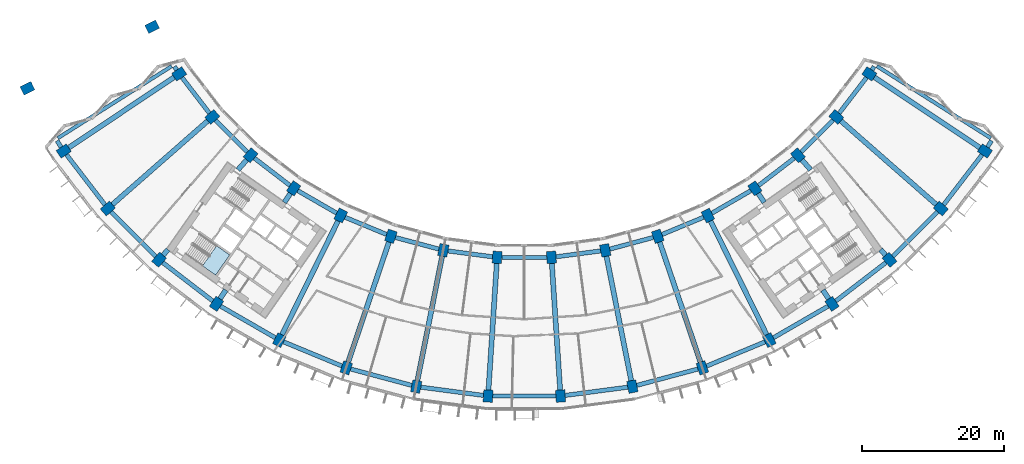
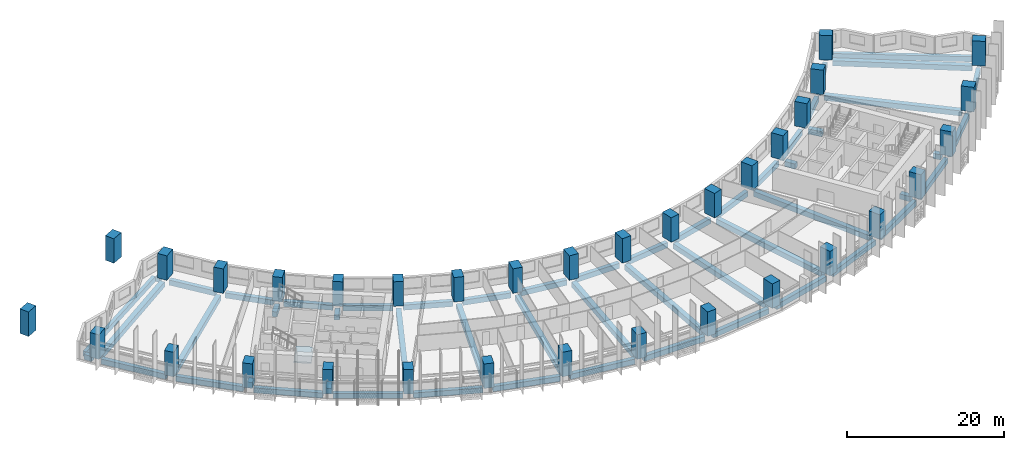
# One storey, part 1 of 31: 56 beams, 34 columns, 1 slab, 1 element without a shape of its own.
"""IFC4 building model written with IfcOpenShell, lengths in metres."""

from ifc_helpers import new_model, si_unit, direction, frame, origin, origin_2d, place, context, subcontext, project, spatial, polyline, rectangle, outline, extrude, material, layer, layer_set, material_profile, profile_set, type_object, element, aggregate, save


model = new_model("IFC4")

# Units and contexts
model_context = context("Model", 3, precision=1e-05, world=origin(), true_north=direction((0.0, 1.0)))
body_context = subcontext(model_context, "Body", "Model", "MODEL_VIEW")
ifc_project = project(units=[si_unit("LENGTHUNIT", "METRE"), si_unit("AREAUNIT", "SQUARE_METRE"), si_unit("VOLUMEUNIT", "CUBIC_METRE"), si_unit("PLANEANGLEUNIT", "RADIAN"), si_unit("MASSUNIT", "GRAM", prefix="KILO")], contexts=[model_context])

# Site, building, storey
site_placement = place(None, origin())
site = spatial("IfcSite", under=ifc_project, at=site_placement, CompositionType="ELEMENT")
building_placement = place(site_placement, origin())
building = spatial("IfcBuilding", under=site, at=building_placement, Name="Qamariyya Broadcast Tower", CompositionType="ELEMENT")
storey_placement = place(building_placement, frame((0.0, 0.0, 48.10009765625)))
storey = spatial("IfcBuildingStorey", under=building, at=storey_placement, Name="L08", CompositionType="ELEMENT", Elevation=48.10009765625)

# Columns
ifc_material_1 = material(Name="Concrete C70/85", Category="concrete")
ifc_material_profile_1 = material_profile(ifc_material_1, rectangle(XDim=1.300048828125, YDim=1.699951171875, at=origin_2d()))
ifc_profile_set_1 = profile_set([ifc_material_profile_1], Name="Concrete C70/85")
column_type = type_object("IfcColumnType", Name="RC column 1300 x 1700 C70/85", PredefinedType="COLUMN", material=ifc_profile_set_1)
for number, where, z_axis, x_axis, name in (
    (1, (-48.43310546875, -32.362060546875, 0.0), (0.0, 0.0, 1.0), (0.55557023302, -0.831469612303, 0.0), "Column C5 L08 B-R03"),
    (2, (-64.646728515625, -43.195556640625, 0.0), (0.0, 0.0, 1.0), (0.55557023302, -0.831469612303, 0.0), "Column C5 L08 C-R03"),
    (3, (-43.794677734375, -38.406982421875, 0.0), (0.0, 0.0, 1.0), (0.6593458151, -0.751839807479, 0.0), "Column C5 L08 B-R04"),
    (4, (-58.45556640625, -51.26416015625, 0.0), (0.0, 0.0, 1.0), (0.6593458151, -0.751839807479, 0.0), "Column C5 L08 C-R04"),
    (5, (-38.406982421875, -43.794677734375, 0.0), (0.0, 0.0, 1.0), (0.751839807479, -0.6593458151, 0.0), "Column C5 L08 B-R05"),
    (6, (-51.26416015625, -58.45556640625, 0.0), (0.0, 0.0, 1.0), (0.751839807479, -0.6593458151, 0.0), "Column C5 L08 C-R05"),
    (7, (-32.362060546875, -48.43310546875, 0.0), (0.0, 0.0, 1.0), (0.831469612303, -0.55557023302, 0.0), "Column C5 L08 B-R06"),
    (8, (-43.195556640625, -64.646728515625, 0.0), (0.0, 0.0, 1.0), (0.831469612303, -0.55557023302, 0.0), "Column C5 L08 C-R06"),
    (9, (-25.763427734375, -52.242919921875, 0.0), (0.0, 0.0, 1.0), (0.896872741533, -0.442288690219, 0.0), "Column C5 L08 B-R07"),
    (10, (-34.387939453125, -69.73193359375, 0.0), (0.0, 0.0, 1.0), (0.896872741533, -0.442288690219, 0.0), "Column C5 L08 C-R07"),
    (11, (-18.723876953125, -55.15869140625, 0.0), (0.0, 0.0, 1.0), (0.946930129495, -0.321439465303, 0.0), "Column C5 L08 B-R08"),
    (12, (-24.991943359375, -73.623779296875, 0.0), (0.0, 0.0, 1.0), (0.946930129495, -0.321439465303, 0.0), "Column C5 L08 C-R08"),
    (13, (-11.364013671875, -57.130859375, 0.0), (0.0, 0.0, 1.0), (0.980785280403, -0.195090322016, 0.0), "Column C5 L08 B-R09"),
    (14, (-15.168212890625, -76.256103515625, 0.0), (0.0, 0.0, 1.0), (0.980785280403, -0.195090322016, 0.0), "Column C5 L08 C-R09"),
    (15, (-3.809814453125, -58.125244140625, 0.0), (0.0, 0.0, 1.0), (0.997858923239, -0.06540312923, 0.0), "Column C5 L08 B-R10"),
    (16, (-5.085205078125, -77.58349609375, 0.0), (0.0, 0.0, 1.0), (0.997858923239, -0.06540312923, 0.0), "Column C5 L08 C-R10"),
    (17, (3.809814453125, -58.125244140625, 0.0), (0.0, 0.0, 1.0), (0.997858923239, 0.06540312923, 0.0), "Column C5 L08 B-R11"),
    (18, (5.085205078125, -77.58349609375, 0.0), (0.0, 0.0, 1.0), (0.997858923239, 0.06540312923, 0.0), "Column C5 L08 C-R11"),
    (19, (11.364013671875, -57.130859375, 0.0), (0.0, 0.0, 1.0), (0.980785280403, 0.195090322016, 0.0), "Column C5 L08 B-R12"),
    (20, (15.168212890625, -76.256103515625, 0.0), (0.0, 0.0, 1.0), (0.980785280403, 0.195090322016, 0.0), "Column C5 L08 C-R12"),
    (21, (18.723876953125, -55.15869140625, 0.0), (0.0, 0.0, 1.0), (0.946930129495, 0.321439465303, 0.0), "Column C5 L08 B-R13"),
    (22, (24.991943359375, -73.623779296875, 0.0), (0.0, 0.0, 1.0), (0.946930129495, 0.321439465303, 0.0), "Column C5 L08 C-R13"),
    (23, (25.763427734375, -52.242919921875, 0.0), (0.0, 0.0, 1.0), (0.896872741533, 0.442288690219, 0.0), "Column C5 L08 B-R14"),
    (24, (34.387939453125, -69.73193359375, 0.0), (0.0, 0.0, 1.0), (0.896872741533, 0.442288690219, 0.0), "Column C5 L08 C-R14"),
    (25, (32.362060546875, -48.43310546875, 0.0), (0.0, 0.0, 1.0), (0.831469612303, 0.55557023302, 0.0), "Column C5 L08 B-R15"),
    (26, (43.195556640625, -64.646728515625, 0.0), (0.0, 0.0, 1.0), (0.831469612303, 0.55557023302, 0.0), "Column C5 L08 C-R15"),
    (27, (38.406982421875, -43.794677734375, 0.0), (0.0, 0.0, 1.0), (0.751839807479, 0.6593458151, 0.0), "Column C5 L08 B-R16"),
    (28, (51.26416015625, -58.45556640625, 0.0), (0.0, 0.0, 1.0), (0.751839807479, 0.6593458151, 0.0), "Column C5 L08 C-R16"),
    (29, (43.794677734375, -38.406982421875, 0.0), (0.0, 0.0, 1.0), (0.6593458151, 0.751839807479, 0.0), "Column C5 L08 B-R17"),
    (30, (58.45556640625, -51.26416015625, 0.0), (0.0, 0.0, 1.0), (0.6593458151, 0.751839807479, 0.0), "Column C5 L08 C-R17"),
    (31, (48.43310546875, -32.362060546875, 0.0), (0.0, 0.0, 1.0), (0.55557023302, 0.831469612303, 0.0), "Column C5 L08 B-R18"),
    (32, (64.646728515625, -43.195556640625, 0.0), (0.0, 0.0, 1.0), (0.55557023302, 0.831469612303, 0.0), "Column C5 L08 C-R18"),
    (33, (-52.242919921875, -25.763427734375, 0.0), (0.0, 0.0, 1.0), (0.442288690219, -0.896872741533, 0.0), "Column C5 L08 B-R02"),
    (34, (-69.73193359375, -34.387939453125, 0.0), (0.0, 0.0, 1.0), (0.442288690219, -0.896872741533, 0.0), "Column C5 L08 C-R02"),
):
    element("IfcColumn", number, at=place(storey_placement, frame(where, z_axis=z_axis, x_axis=x_axis)), inside=storey, type_object=column_type, Name=name, PredefinedType="COLUMN", context=body_context, shape_type="SweptSolid", body=[
        extrude(rectangle(XDim=1.300048828125, YDim=1.699951171875, at=origin_2d()), origin(), (0.0, 0.0, 1.0), 3.7998046875),
    ])

# Beams
ifc_material_2 = material(Name="Concrete C50/60", Category="concrete")
ifc_material_profile_2 = material_profile(ifc_material_2, rectangle(XDim=0.60009765625, YDim=0.800048828125, at=origin_2d()))
ifc_profile_set_2 = profile_set([ifc_material_profile_2], Name="Concrete C50/60")
beam_type_1 = type_object("IfcBeamType", Name="RC edge beam 600 x 800 C50/60", PredefinedType="SPANDREL", material=ifc_profile_set_2)
beam_1_placement = place(storey_placement, frame((-48.03662109375, -32.878662109375, -0.7001953125), z_axis=(0.608763348773, -0.7933518672, 0.0), x_axis=(0.7933518672, 0.608763348773, 0.0)))
element("IfcBeam", 35, at=beam_1_placement, inside=storey, type_object=beam_type_1, Name="Edge beam B6 L08 B R03-R04", PredefinedType="SPANDREL", context=body_context, shape_type="SweptSolid", body=[
    extrude(rectangle(XDim=0.60009765625, YDim=0.800048828125, at=origin_2d()), origin(), (0.0, 0.0, 1.0), 6.31689453125),
])
beam_2_placement = place(storey_placement, frame((-43.333984375, -38.867431640625, -0.7001953125), z_axis=(0.707106781187, -0.707106781187, 0.0), x_axis=(0.707106781187, 0.707106781187, 0.0)))
element("IfcBeam", 36, at=beam_2_placement, inside=storey, type_object=beam_type_1, Name="Edge beam B6 L08 B R04-R05", PredefinedType="SPANDREL", context=body_context, shape_type="SweptSolid", body=[
    extrude(rectangle(XDim=0.60009765625, YDim=0.800048828125, at=origin_2d()), origin(), (0.0, 0.0, 1.0), 6.316650390625),
])
for number, where, z_axis, x_axis, name in (
    (37, (-37.89013671875, -44.191162109375, -0.7001953125), (0.7933518672, -0.608763348773, 0.0), (0.608763348773, 0.7933518672, 0.0), "Edge beam B6 L08 B R05-R06"),
    (38, (-31.7978515625, -48.7587890625, -0.7001953125), (0.866020173512, -0.500009058987, 0.0), (0.500009058987, 0.866020173512, 0.0), "Edge beam B6 L08 B R06-R07"),
):
    element("IfcBeam", number, at=place(storey_placement, frame(where, z_axis=z_axis, x_axis=x_axis)), inside=storey, type_object=beam_type_1, Name=name, PredefinedType="SPANDREL", context=body_context, shape_type="SweptSolid", body=[
        extrude(rectangle(XDim=0.60009765625, YDim=0.800048828125, at=origin_2d()), origin(), (0.0, 0.0, 1.0), 6.31689453125),
    ])
for number, where, z_axis, x_axis, name in (
    (39, (-25.16162109375, -52.4921875, -0.7001953125), (0.923884465345, -0.382671523234, 0.0), (0.382671523234, 0.923884465345, 0.0), "Edge beam B6 L08 B R07-R08"),
    (40, (-18.0947265625, -55.327392578125, -0.7001953125), (0.965931490327, -0.258797905699, 0.0), (0.258797905699, 0.965931490327, 0.0), "Edge beam B6 L08 B R08-R09"),
    (41, (-10.71826171875, -57.2158203125, -0.7001953125), (0.991445610946, -0.130520498525, 0.0), (0.130520498525, 0.991445610946, 0.0), "Edge beam B6 L08 B R09-R10"),
):
    element("IfcBeam", number, at=place(storey_placement, frame(where, z_axis=z_axis, x_axis=x_axis)), inside=storey, type_object=beam_type_1, Name=name, PredefinedType="SPANDREL", context=body_context, shape_type="SweptSolid", body=[
        extrude(rectangle(XDim=0.60009765625, YDim=0.800048828125, at=origin_2d()), origin(), (0.0, 0.0, 1.0), 6.316650390625),
    ])
beam_3_placement = place(storey_placement, frame((-3.158447265625, -58.125244140625, -0.7001953125), z_axis=(1.0, 0.0, 0.0), x_axis=(0.0, 1.0, 0.0)))
element("IfcBeam", 42, at=beam_3_placement, inside=storey, type_object=beam_type_1, Name="Edge beam B6 L08 B R10-R11", PredefinedType="SPANDREL", context=body_context, shape_type="SweptSolid", body=[
    extrude(rectangle(XDim=0.60009765625, YDim=0.800048828125, at=origin_2d()), origin(), (0.0, 0.0, 1.0), 6.31689453125),
])
for number, where, z_axis, x_axis, name in (
    (43, (4.45556640625, -58.040283203125, -0.7001953125), (0.991445610946, 0.130520498525, 0.0), (-0.130520498525, 0.991445610946, 0.0), "Edge beam B6 L08 B R11-R12"),
    (44, (11.9931640625, -56.962158203125, -0.7001953125), (0.965931490327, 0.258797905699, 0.0), (-0.258797905699, 0.965931490327, 0.0), "Edge beam B6 L08 B R12-R13"),
    (45, (19.32568359375, -54.909423828125, -0.7001953125), (0.923884465345, 0.382671523234, 0.0), (-0.382671523234, 0.923884465345, 0.0), "Edge beam B6 L08 B R13-R14"),
):
    element("IfcBeam", number, at=place(storey_placement, frame(where, z_axis=z_axis, x_axis=x_axis)), inside=storey, type_object=beam_type_1, Name=name, PredefinedType="SPANDREL", context=body_context, shape_type="SweptSolid", body=[
        extrude(rectangle(XDim=0.60009765625, YDim=0.800048828125, at=origin_2d()), origin(), (0.0, 0.0, 1.0), 6.316650390625),
    ])
for number, where, z_axis, x_axis, name in (
    (46, (26.327392578125, -51.917236328125, -0.7001953125), (0.866020173512, 0.500009058987, 0.0), (-0.500009058987, 0.866020173512, 0.0), "Edge beam B6 L08 B R14-R15"),
    (47, (32.878662109375, -48.03662109375, -0.7001953125), (0.7933518672, 0.608763348773, 0.0), (-0.608763348773, 0.7933518672, 0.0), "Edge beam B6 L08 B R15-R16"),
):
    element("IfcBeam", number, at=place(storey_placement, frame(where, z_axis=z_axis, x_axis=x_axis)), inside=storey, type_object=beam_type_1, Name=name, PredefinedType="SPANDREL", context=body_context, shape_type="SweptSolid", body=[
        extrude(rectangle(XDim=0.60009765625, YDim=0.800048828125, at=origin_2d()), origin(), (0.0, 0.0, 1.0), 6.31689453125),
    ])
beam_4_placement = place(storey_placement, frame((38.867431640625, -43.333984375, -0.7001953125), z_axis=(0.707106781187, 0.707106781187, 0.0), x_axis=(-0.707106781187, 0.707106781187, 0.0)))
element("IfcBeam", 48, at=beam_4_placement, inside=storey, type_object=beam_type_1, Name="Edge beam B6 L08 B R16-R17", PredefinedType="SPANDREL", context=body_context, shape_type="SweptSolid", body=[
    extrude(rectangle(XDim=0.60009765625, YDim=0.800048828125, at=origin_2d()), origin(), (0.0, 0.0, 1.0), 6.316650390625),
])
beam_5_placement = place(storey_placement, frame((44.191162109375, -37.89013671875, -0.7001953125), z_axis=(0.608763348773, 0.7933518672, 0.0), x_axis=(-0.7933518672, 0.608763348773, 0.0)))
element("IfcBeam", 49, at=beam_5_placement, inside=storey, type_object=beam_type_1, Name="Edge beam B6 L08 B R17-R18", PredefinedType="SPANDREL", context=body_context, shape_type="SweptSolid", body=[
    extrude(rectangle(XDim=0.60009765625, YDim=0.800048828125, at=origin_2d()), origin(), (0.0, 0.0, 1.0), 6.31689453125),
])
beam_6_placement = place(storey_placement, frame((-64.250244140625, -43.71240234375, -0.7001953125), z_axis=(0.608769622928, -0.793347052809, 0.0), x_axis=(0.793347052809, 0.608769622928, 0.0)))
element("IfcBeam", 50, at=beam_6_placement, inside=storey, type_object=beam_type_1, Name="Edge beam B6 L08 C R03-R04", PredefinedType="SPANDREL", context=body_context, shape_type="SweptSolid", body=[
    extrude(rectangle(XDim=0.60009765625, YDim=0.800048828125, at=origin_2d()), origin(), (0.0, 0.0, 1.0), 8.867431640625),
])
beam_7_placement = place(storey_placement, frame((-57.994873046875, -51.724853515625, -0.7001953125), z_axis=(0.707106781187, -0.707106781187, 0.0), x_axis=(0.707106781187, 0.707106781187, 0.0)))
element("IfcBeam", 51, at=beam_7_placement, inside=storey, type_object=beam_type_1, Name="Edge beam B6 L08 C R04-R05", PredefinedType="SPANDREL", context=body_context, shape_type="SweptSolid", body=[
    extrude(rectangle(XDim=0.60009765625, YDim=0.800048828125, at=origin_2d()), origin(), (0.0, 0.0, 1.0), 8.8671875),
])
beam_8_placement = place(storey_placement, frame((-50.747314453125, -58.85205078125, -0.7001953125), z_axis=(0.793347052809, -0.608769622928, 0.0), x_axis=(0.608769622928, 0.793347052809, 0.0)))
element("IfcBeam", 52, at=beam_8_placement, inside=storey, type_object=beam_type_1, Name="Edge beam B6 L08 C R05-R06", PredefinedType="SPANDREL", context=body_context, shape_type="SweptSolid", body=[
    extrude(rectangle(XDim=0.60009765625, YDim=0.800048828125, at=origin_2d()), origin(), (0.0, 0.0, 1.0), 8.867431640625),
])
beam_9_placement = place(storey_placement, frame((-42.63134765625, -64.972412109375, -0.7001953125), z_axis=(0.866013187848, -0.500021158025, 0.0), x_axis=(0.500021158025, 0.866013187848, 0.0)))
element("IfcBeam", 53, at=beam_9_placement, inside=storey, type_object=beam_type_1, Name="Edge beam B6 L08 C R06-R07", PredefinedType="SPANDREL", context=body_context, shape_type="SweptSolid", body=[
    extrude(rectangle(XDim=0.60009765625, YDim=0.800048828125, at=origin_2d()), origin(), (0.0, 0.0, 1.0), 8.8671875),
])
for number, where, z_axis, x_axis, name in (
    (54, (-33.7861328125, -69.981201171875, -0.7001953125), (0.923882942367, -0.382675200142, 0.0), (0.382675200142, 0.923882942367, 0.0), "Edge beam B6 L08 C R07-R08"),
    (55, (-24.36279296875, -73.79248046875, -0.7001953125), (0.965930847021, -0.258800306749, 0.0), (0.258800306749, 0.965930847021, 0.0), "Edge beam B6 L08 C R08-R09"),
    (56, (-14.5224609375, -76.341064453125, -0.7001953125), (0.991444171706, -0.13053143066, 0.0), (0.13053143066, 0.991444171706, 0.0), "Edge beam B6 L08 C R09-R10"),
):
    element("IfcBeam", number, at=place(storey_placement, frame(where, z_axis=z_axis, x_axis=x_axis)), inside=storey, type_object=beam_type_1, Name=name, PredefinedType="SPANDREL", context=body_context, shape_type="SweptSolid", body=[
        extrude(rectangle(XDim=0.60009765625, YDim=0.800048828125, at=origin_2d()), origin(), (0.0, 0.0, 1.0), 8.867431640625),
    ])
beam_10_placement = place(storey_placement, frame((-4.43359375, -77.58349609375, -0.7001953125), z_axis=(1.0, 0.0, 0.0), x_axis=(0.0, 1.0, 0.0)))
element("IfcBeam", 57, at=beam_10_placement, inside=storey, type_object=beam_type_1, Name="Edge beam B6 L08 C R10-R11", PredefinedType="SPANDREL", context=body_context, shape_type="SweptSolid", body=[
    extrude(rectangle(XDim=0.60009765625, YDim=0.800048828125, at=origin_2d()), origin(), (0.0, 0.0, 1.0), 8.8671875),
])
for number, where, z_axis, x_axis, name in (
    (58, (5.73095703125, -77.49853515625, -0.7001953125), (0.991444171706, 0.13053143066, 0.0), (-0.13053143066, 0.991444171706, 0.0), "Edge beam B6 L08 C R11-R12"),
    (59, (15.79736328125, -76.08740234375, -0.7001953125), (0.965930847021, 0.258800306749, 0.0), (-0.258800306749, 0.965930847021, 0.0), "Edge beam B6 L08 C R12-R13"),
    (60, (25.59375, -73.37451171875, -0.7001953125), (0.923882942367, 0.382675200142, 0.0), (-0.382675200142, 0.923882942367, 0.0), "Edge beam B6 L08 C R13-R14"),
):
    element("IfcBeam", number, at=place(storey_placement, frame(where, z_axis=z_axis, x_axis=x_axis)), inside=storey, type_object=beam_type_1, Name=name, PredefinedType="SPANDREL", context=body_context, shape_type="SweptSolid", body=[
        extrude(rectangle(XDim=0.60009765625, YDim=0.800048828125, at=origin_2d()), origin(), (0.0, 0.0, 1.0), 8.867431640625),
    ])
beam_11_placement = place(storey_placement, frame((34.9521484375, -69.40625, -0.7001953125), z_axis=(0.866013187848, 0.500021158025, 0.0), x_axis=(-0.500021158025, 0.866013187848, 0.0)))
element("IfcBeam", 61, at=beam_11_placement, inside=storey, type_object=beam_type_1, Name="Edge beam B6 L08 C R14-R15", PredefinedType="SPANDREL", context=body_context, shape_type="SweptSolid", body=[
    extrude(rectangle(XDim=0.60009765625, YDim=0.800048828125, at=origin_2d()), origin(), (0.0, 0.0, 1.0), 8.8671875),
])
beam_12_placement = place(storey_placement, frame((43.71240234375, -64.250244140625, -0.7001953125), z_axis=(0.793347052809, 0.608769622928, 0.0), x_axis=(-0.608769622928, 0.793347052809, 0.0)))
element("IfcBeam", 62, at=beam_12_placement, inside=storey, type_object=beam_type_1, Name="Edge beam B6 L08 C R15-R16", PredefinedType="SPANDREL", context=body_context, shape_type="SweptSolid", body=[
    extrude(rectangle(XDim=0.60009765625, YDim=0.800048828125, at=origin_2d()), origin(), (0.0, 0.0, 1.0), 8.867431640625),
])
beam_13_placement = place(storey_placement, frame((51.724853515625, -57.994873046875, -0.7001953125), z_axis=(0.707106781187, 0.707106781187, 0.0), x_axis=(-0.707106781187, 0.707106781187, 0.0)))
element("IfcBeam", 63, at=beam_13_placement, inside=storey, type_object=beam_type_1, Name="Edge beam B6 L08 C R16-R17", PredefinedType="SPANDREL", context=body_context, shape_type="SweptSolid", body=[
    extrude(rectangle(XDim=0.60009765625, YDim=0.800048828125, at=origin_2d()), origin(), (0.0, 0.0, 1.0), 8.8671875),
])
beam_14_placement = place(storey_placement, frame((58.85205078125, -50.747314453125, -0.7001953125), z_axis=(0.608769622928, 0.793347052809, 0.0), x_axis=(-0.793347052809, 0.608769622928, 0.0)))
element("IfcBeam", 64, at=beam_14_placement, inside=storey, type_object=beam_type_1, Name="Edge beam B6 L08 C R17-R18", PredefinedType="SPANDREL", context=body_context, shape_type="SweptSolid", body=[
    extrude(rectangle(XDim=0.60009765625, YDim=0.800048828125, at=origin_2d()), origin(), (0.0, 0.0, 1.0), 8.867431640625),
])
ifc_material_profile_3 = material_profile(ifc_material_2, rectangle(XDim=0.60009765625, YDim=0.800048828125, at=origin_2d()))
ifc_profile_set_3 = profile_set([ifc_material_profile_3], Name="Concrete C50/60")
beam_type_2 = type_object("IfcBeamType", Name="RC horn beam 600 x 800 C50/60", PredefinedType="BEAM", material=ifc_profile_set_3)
beam_15_placement = place(storey_placement, frame((-48.787353515625, -31.81689453125, -0.7001953125), z_axis=(-0.545092475008, 0.838375926235, 0.0), x_axis=(-0.838375926235, -0.545092475008, 0.0)))
element("IfcBeam", 65, at=beam_15_placement, inside=storey, type_object=beam_type_2, Name="Horn beam B7 L08 W B-R03", PredefinedType="BEAM", context=body_context, shape_type="SweptSolid", body=[
    extrude(rectangle(XDim=0.60009765625, YDim=0.800048828125, at=origin_2d()), origin(), (0.0, 0.0, 1.0), 0.576904296875),
])
beam_16_placement = place(storey_placement, frame((-65.0009765625, -42.650634765625, -0.7001953125), z_axis=(-0.545092475008, 0.838375926235, 0.0), x_axis=(-0.838375926235, -0.545092475008, 0.0)))
element("IfcBeam", 66, at=beam_16_placement, inside=storey, type_object=beam_type_2, Name="Horn beam B7 L08 W C-R03", PredefinedType="BEAM", context=body_context, shape_type="SweptSolid", body=[
    extrude(rectangle(XDim=0.60009765625, YDim=0.800048828125, at=origin_2d()), origin(), (0.0, 0.0, 1.0), 1.0712890625),
])
beam_17_placement = place(storey_placement, frame((48.787353515625, -31.81689453125, -0.7001953125), z_axis=(0.545092475008, 0.838375926235, 0.0), x_axis=(-0.838375926235, 0.545092475008, 0.0)))
element("IfcBeam", 67, at=beam_17_placement, inside=storey, type_object=beam_type_2, Name="Horn beam B7 L08 E B-R18", PredefinedType="BEAM", context=body_context, shape_type="SweptSolid", body=[
    extrude(rectangle(XDim=0.60009765625, YDim=0.800048828125, at=origin_2d()), origin(), (0.0, 0.0, 1.0), 0.576904296875),
])
beam_18_placement = place(storey_placement, frame((65.0009765625, -42.650634765625, -0.7001953125), z_axis=(0.545092475008, 0.838375926235, 0.0), x_axis=(-0.838375926235, 0.545092475008, 0.0)))
element("IfcBeam", 68, at=beam_18_placement, inside=storey, type_object=beam_type_2, Name="Horn beam B7 L08 E C-R18", PredefinedType="BEAM", context=body_context, shape_type="SweptSolid", body=[
    extrude(rectangle(XDim=0.60009765625, YDim=0.800048828125, at=origin_2d()), origin(), (0.0, 0.0, 1.0), 1.0712890625),
])
ifc_material_profile_4 = material_profile(ifc_material_2, rectangle(XDim=0.5, YDim=0.800048828125, at=origin_2d()))
ifc_profile_set_4 = profile_set([ifc_material_profile_4], Name="Concrete C50/60")
beam_type_3 = type_object("IfcBeamType", Name="RC horn cap beam 500 x 800 C50/60", PredefinedType="BEAM", material=ifc_profile_set_4)
for number, where, z_axis, x_axis, name in (
    (69, (-49.49169921875, -31.283935546875, -0.7001953125), (-0.845288403382, -0.534310317238, 0.0), (0.534310317238, -0.845288403382, 0.0), "Horn cap beam B8 L08 W B-C"),
    (70, (49.49169921875, -31.283935546875, -0.7001953125), (0.845288403382, -0.534310317238, 0.0), (0.534310317238, 0.845288403382, 0.0), "Horn cap beam B8 L08 E B-C"),
):
    element("IfcBeam", number, at=place(storey_placement, frame(where, z_axis=z_axis, x_axis=x_axis)), inside=storey, type_object=beam_type_3, Name=name, PredefinedType="BEAM", context=body_context, shape_type="SweptSolid", body=[
        extrude(rectangle(XDim=0.5, YDim=0.800048828125, at=origin_2d()), origin(), (0.0, 0.0, 1.0), 18.89990234375),
    ])
ifc_material_profile_5 = material_profile(ifc_material_2, rectangle(XDim=0.699951171875, YDim=0.800048828125, at=origin_2d()))
ifc_profile_set_5 = profile_set([ifc_material_profile_5], Name="Concrete C50/60")
beam_type_4 = type_object("IfcBeamType", Name="RC radial beam 700 x 800 C50/60", PredefinedType="BEAM", material=ifc_profile_set_5)
for number, where, z_axis, x_axis, name in (
    (71, (-49.139892578125, -32.834228515625, -0.7001953125), (-0.831467440413, -0.555573483469, 0.0), (0.555573483469, -0.831467440413, 0.0), "Radial beam B5 L08 R03 B-C"),
    (72, (-44.433837890625, -38.96728515625, -0.7001953125), (-0.751836168626, -0.659349964393, 0.0), (0.659349964393, -0.751836168626, 0.0), "Radial beam B5 L08 R04 B-C"),
):
    element("IfcBeam", number, at=place(storey_placement, frame(where, z_axis=z_axis, x_axis=x_axis)), inside=storey, type_object=beam_type_4, Name=name, PredefinedType="BEAM", context=body_context, shape_type="SweptSolid", body=[
        extrude(rectangle(XDim=0.699951171875, YDim=0.800048828125, at=origin_2d()), origin(), (0.0, 0.0, 1.0), 17.7998046875),
    ])
beam_19_placement = place(storey_placement, frame((-38.96728515625, -44.433837890625, -0.7001953125), z_axis=(-0.659385827408, -0.751804715743, 0.0), x_axis=(0.751804715743, -0.659385827408, 0.0)))
element("IfcBeam", 73, at=beam_19_placement, inside=storey, type_object=beam_type_4, Name="Radial beam B5 L08 R05 B-C", PredefinedType="BEAM", context=body_context, shape_type="SweptSolid", body=[
    extrude(rectangle(XDim=0.699951171875, YDim=0.800048828125, at=origin_2d()), origin(), (0.0, 0.0, 1.0), 1.8623046875),
])
beam_20_placement = place(storey_placement, frame((-50.011962890625, -57.027587890625, -0.7001953125), z_axis=(-0.659278599496, -0.751898748667, 0.0), x_axis=(0.751898748667, -0.659278599496, 0.0)))
element("IfcBeam", 74, at=beam_20_placement, inside=storey, type_object=beam_type_4, Name="Radial beam B5 L08 R05 B-C", PredefinedType="BEAM", context=body_context, shape_type="SweptSolid", body=[
    extrude(rectangle(XDim=0.699951171875, YDim=0.800048828125, at=origin_2d()), origin(), (0.0, 0.0, 1.0), 1.049072265625),
])
beam_21_placement = place(storey_placement, frame((-32.834228515625, -49.139892578125, -0.7001953125), z_axis=(-0.555518362002, -0.831504269068, 0.0), x_axis=(0.831504269068, -0.555518362002, 0.0)))
element("IfcBeam", 75, at=beam_21_placement, inside=storey, type_object=beam_type_4, Name="Radial beam B5 L08 R06 B-C", PredefinedType="BEAM", context=body_context, shape_type="SweptSolid", body=[
    extrude(rectangle(XDim=0.699951171875, YDim=0.800048828125, at=origin_2d()), origin(), (0.0, 0.0, 1.0), 1.514404296875),
])
beam_22_placement = place(storey_placement, frame((-41.89990234375, -62.707763671875, -0.7001953125), z_axis=(-0.555650227013, -0.831416156459, 0.0), x_axis=(0.831416156459, -0.555650227013, 0.0)))
element("IfcBeam", 76, at=beam_22_placement, inside=storey, type_object=beam_type_4, Name="Radial beam B5 L08 R06 B-C", PredefinedType="BEAM", context=body_context, shape_type="SweptSolid", body=[
    extrude(rectangle(XDim=0.699951171875, YDim=0.800048828125, at=origin_2d()), origin(), (0.0, 0.0, 1.0), 1.48193359375),
])
beam_23_placement = place(storey_placement, frame((-26.13916015625, -53.005126953125, -0.7001953125), z_axis=(-0.442291123934, -0.896871541353, 0.0), x_axis=(0.896871541353, -0.442291123934, 0.0)))
element("IfcBeam", 77, at=beam_23_placement, inside=storey, type_object=beam_type_4, Name="Radial beam B5 L08 R07 B-C", PredefinedType="BEAM", context=body_context, shape_type="SweptSolid", body=[
    extrude(rectangle(XDim=0.699951171875, YDim=0.800048828125, at=origin_2d()), origin(), (0.0, 0.0, 1.0), 17.800048828125),
])
beam_24_placement = place(storey_placement, frame((-18.9970703125, -55.963623046875, -0.7001953125), z_axis=(-0.321444599042, -0.94692838681, 0.0), x_axis=(0.94692838681, -0.321444599042, 0.0)))
element("IfcBeam", 78, at=beam_24_placement, inside=storey, type_object=beam_type_4, Name="Radial beam B5 L08 R08 B-C", PredefinedType="BEAM", context=body_context, shape_type="SweptSolid", body=[
    extrude(rectangle(XDim=0.699951171875, YDim=0.800048828125, at=origin_2d()), origin(), (0.0, 0.0, 1.0), 17.7998046875),
])
for number, where, z_axis, x_axis, name in (
    (79, (-11.52978515625, -57.96435546875, -0.7001953125), (-0.19509262344, -0.980784822619, 0.0), (0.980784822619, -0.19509262344, 0.0), "Radial beam B5 L08 R09 B-C"),
    (80, (-3.865234375, -58.973388671875, -0.7001953125), (-0.0654101824, -0.997858460924, 0.0), (0.997858460924, -0.0654101824, 0.0), "Radial beam B5 L08 R10 B-C"),
    (81, (3.865234375, -58.973388671875, -0.7001953125), (0.0654101824, -0.997858460924, 0.0), (0.997858460924, 0.0654101824, 0.0), "Radial beam B5 L08 R11 B-C"),
    (82, (11.52978515625, -57.96435546875, -0.7001953125), (0.19509262344, -0.980784822619, 0.0), (0.980784822619, 0.19509262344, 0.0), "Radial beam B5 L08 R12 B-C"),
):
    element("IfcBeam", number, at=place(storey_placement, frame(where, z_axis=z_axis, x_axis=x_axis)), inside=storey, type_object=beam_type_4, Name=name, PredefinedType="BEAM", context=body_context, shape_type="SweptSolid", body=[
        extrude(rectangle(XDim=0.699951171875, YDim=0.800048828125, at=origin_2d()), origin(), (0.0, 0.0, 1.0), 17.800048828125),
    ])
beam_25_placement = place(storey_placement, frame((18.9970703125, -55.963623046875, -0.7001953125), z_axis=(0.321444599042, -0.94692838681, 0.0), x_axis=(0.94692838681, 0.321444599042, 0.0)))
element("IfcBeam", 83, at=beam_25_placement, inside=storey, type_object=beam_type_4, Name="Radial beam B5 L08 R13 B-C", PredefinedType="BEAM", context=body_context, shape_type="SweptSolid", body=[
    extrude(rectangle(XDim=0.699951171875, YDim=0.800048828125, at=origin_2d()), origin(), (0.0, 0.0, 1.0), 17.7998046875),
])
beam_26_placement = place(storey_placement, frame((26.13916015625, -53.005126953125, -0.7001953125), z_axis=(0.442291123934, -0.896871541353, 0.0), x_axis=(0.896871541353, 0.442291123934, 0.0)))
element("IfcBeam", 84, at=beam_26_placement, inside=storey, type_object=beam_type_4, Name="Radial beam B5 L08 R14 B-C", PredefinedType="BEAM", context=body_context, shape_type="SweptSolid", body=[
    extrude(rectangle(XDim=0.699951171875, YDim=0.800048828125, at=origin_2d()), origin(), (0.0, 0.0, 1.0), 17.800048828125),
])
beam_27_placement = place(storey_placement, frame((32.834228515625, -49.139892578125, -0.7001953125), z_axis=(0.555518362002, -0.831504269068, 0.0), x_axis=(0.831504269068, 0.555518362002, 0.0)))
element("IfcBeam", 85, at=beam_27_placement, inside=storey, type_object=beam_type_4, Name="Radial beam B5 L08 R15 B-C", PredefinedType="BEAM", context=body_context, shape_type="SweptSolid", body=[
    extrude(rectangle(XDim=0.699951171875, YDim=0.800048828125, at=origin_2d()), origin(), (0.0, 0.0, 1.0), 1.514404296875),
])
beam_28_placement = place(storey_placement, frame((41.89990234375, -62.707763671875, -0.7001953125), z_axis=(0.555650227013, -0.831416156459, 0.0), x_axis=(0.831416156459, 0.555650227013, 0.0)))
element("IfcBeam", 86, at=beam_28_placement, inside=storey, type_object=beam_type_4, Name="Radial beam B5 L08 R15 B-C", PredefinedType="BEAM", context=body_context, shape_type="SweptSolid", body=[
    extrude(rectangle(XDim=0.699951171875, YDim=0.800048828125, at=origin_2d()), origin(), (0.0, 0.0, 1.0), 1.48193359375),
])
beam_29_placement = place(storey_placement, frame((38.96728515625, -44.433837890625, -0.7001953125), z_axis=(0.659385827408, -0.751804715743, 0.0), x_axis=(0.751804715743, 0.659385827408, 0.0)))
element("IfcBeam", 87, at=beam_29_placement, inside=storey, type_object=beam_type_4, Name="Radial beam B5 L08 R16 B-C", PredefinedType="BEAM", context=body_context, shape_type="SweptSolid", body=[
    extrude(rectangle(XDim=0.699951171875, YDim=0.800048828125, at=origin_2d()), origin(), (0.0, 0.0, 1.0), 1.8623046875),
])
beam_30_placement = place(storey_placement, frame((50.011962890625, -57.027587890625, -0.7001953125), z_axis=(0.659278599496, -0.751898748667, 0.0), x_axis=(0.751898748667, 0.659278599496, 0.0)))
element("IfcBeam", 88, at=beam_30_placement, inside=storey, type_object=beam_type_4, Name="Radial beam B5 L08 R16 B-C", PredefinedType="BEAM", context=body_context, shape_type="SweptSolid", body=[
    extrude(rectangle(XDim=0.699951171875, YDim=0.800048828125, at=origin_2d()), origin(), (0.0, 0.0, 1.0), 1.049072265625),
])
for number, where, z_axis, x_axis, name in (
    (89, (44.433837890625, -38.96728515625, -0.7001953125), (0.751836168626, -0.659349964393, 0.0), (0.659349964393, 0.751836168626, 0.0), "Radial beam B5 L08 R17 B-C"),
    (90, (49.139892578125, -32.834228515625, -0.7001953125), (0.831467440413, -0.555573483469, 0.0), (0.555573483469, 0.831467440413, 0.0), "Radial beam B5 L08 R18 B-C"),
):
    element("IfcBeam", number, at=place(storey_placement, frame(where, z_axis=z_axis, x_axis=x_axis)), inside=storey, type_object=beam_type_4, Name=name, PredefinedType="BEAM", context=body_context, shape_type="SweptSolid", body=[
        extrude(rectangle(XDim=0.699951171875, YDim=0.800048828125, at=origin_2d()), origin(), (0.0, 0.0, 1.0), 17.7998046875),
    ])

# Stair, slab
stair_type = type_object("IfcStairType", Name="Exit stair 22 risers of 173 mm", PredefinedType="HALF_TURN_STAIR", material=ifc_material_2)
stair_placement = place(storey_placement, origin())
stair = element("IfcStair", 91, at=stair_placement, inside=storey, type_object=stair_type, Name="L08 Stair W1", PredefinedType="HALF_TURN_STAIR")
ifc_layer = layer(ifc_material_2, 0.199951171875)
ifc_layer_set = layer_set([ifc_layer], Name="Stair landing")
slab_type = type_object("IfcSlabType", Name="Stair landing", PredefinedType="LANDING", material=ifc_layer_set)
slab_placement = place(storey_placement, frame((0.0, 0.0, 1.699951171875)))
slab = element("IfcSlab", 92, at=slab_placement, type_object=slab_type, Name="ST-W1 landing 1", PredefinedType="LANDING", context=body_context, shape_type="SweptSolid", body=[
    extrude(outline(polyline([(-45.169677734375, -59.319580078125), (-43.3271484375, -60.609619140625), (-41.348388671875, -57.783447265625), (-43.19091796875, -56.493408203125), (-45.169677734375, -59.319580078125)])), origin(), (0.0, 0.0, 1.0), 0.199951171875),
])
aggregate(stair, [slab])

save(model, "model.ifc")
